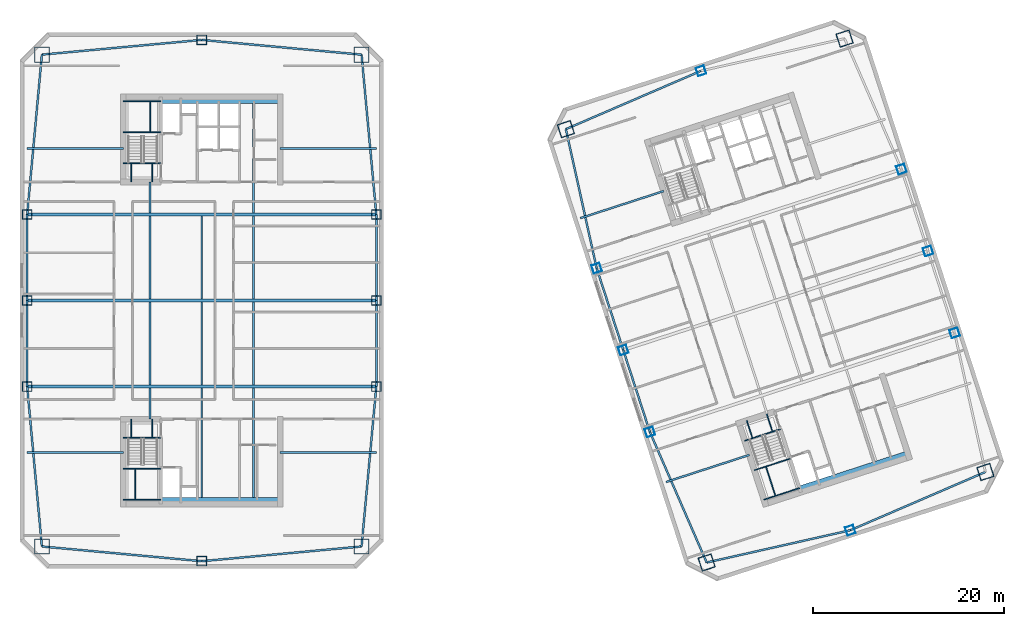
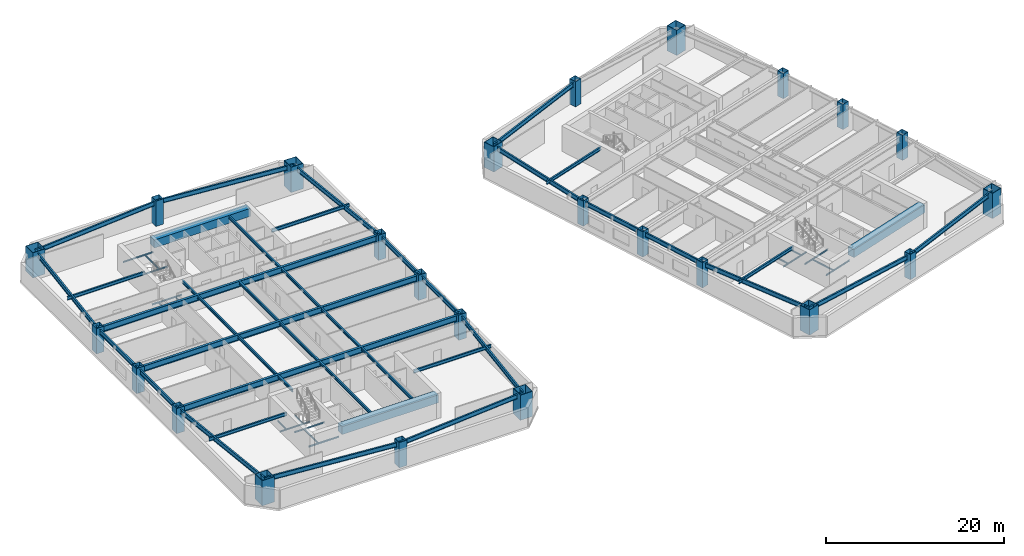
# One storey, part 1 of 11: 60 beams, 24 columns.
"""IFC4 building model written with IfcOpenShell, lengths in metres."""

from ifc_helpers import new_model, si_unit, direction, frame, origin, origin_2d, place, context, subcontext, project, spatial, rectangle, hollow_rectangle, i_section, extrude, material, material_profile, profile_set, type_object, element, save


model = new_model("IFC4")

# Units and contexts
model_context = context("Model", 3, precision=1e-05, world=origin(), true_north=direction((0.0, 1.0)))
body_context = subcontext(model_context, "Body", "Model", "MODEL_VIEW")
ifc_project = project(units=[si_unit("LENGTHUNIT", "METRE"), si_unit("AREAUNIT", "SQUARE_METRE"), si_unit("VOLUMEUNIT", "CUBIC_METRE"), si_unit("PLANEANGLEUNIT", "RADIAN"), si_unit("MASSUNIT", "GRAM", prefix="KILO")], contexts=[model_context])

# Site, building, storey
site_placement = place(None, origin())
site = spatial("IfcSite", under=ifc_project, at=site_placement, CompositionType="ELEMENT")
building_placement = place(site_placement, origin())
building = spatial("IfcBuilding", under=site, at=building_placement, Name="Qiaolan Cultural Towers", CompositionType="ELEMENT")
storey_placement = place(building_placement, frame((0.0, 0.0, 96.60009765625)))
storey = spatial("IfcBuildingStorey", under=building, at=storey_placement, Name="L24", CompositionType="ELEMENT", Elevation=96.60009765625)

# Columns
ifc_material_1 = material(Name="Steel Q355B", Category="steel")
ifc_material_profile_1 = material_profile(ifc_material_1, hollow_rectangle(XDim=1.0, YDim=1.0, WallThickness=0.035888671875, at=origin_2d()), Name="BOX1000x1000x36")
ifc_profile_set_1 = profile_set([ifc_material_profile_1], Name="Steel Q355B")
column_type_1 = type_object("IfcColumnType", Name="COL-BOX1000x1000x36", PredefinedType="COLUMN", material=ifc_profile_set_1)
for number, where, z_axis, x_axis, name in (
    (1, (11.75, 25.0, 0.0), (0.0, 0.0, 1.0), (1.0, 0.0, 0.0), "L24 T1 Perimeter Column PC-W1"),
    (2, (11.75, 34.0, 0.0), (0.0, 0.0, 1.0), (1.0, 0.0, 0.0), "L24 T1 Perimeter Column PC-W2"),
    (3, (11.75, 43.0, 0.0), (0.0, 0.0, 1.0), (1.0, 0.0, 0.0), "L24 T1 Perimeter Column PC-W3"),
    (4, (48.25, 25.0, 0.0), (0.0, 0.0, 1.0), (1.0, 0.0, 0.0), "L24 T1 Perimeter Column PC-E1"),
    (5, (48.25, 34.0, 0.0), (0.0, 0.0, 1.0), (1.0, 0.0, 0.0), "L24 T1 Perimeter Column PC-E2"),
    (6, (48.25, 43.0, 0.0), (0.0, 0.0, 1.0), (1.0, 0.0, 0.0), "L24 T1 Perimeter Column PC-E3"),
    (7, (30.0, 6.75, 0.0), (0.0, 0.0, 1.0), (1.0, 0.0, 0.0), "L24 T1 Perimeter Column PC-S0"),
    (8, (30.0, 61.25, 0.0), (0.0, 0.0, 1.0), (1.0, 0.0, 0.0), "L24 T1 Perimeter Column PC-N0"),
):
    element("IfcColumn", number, at=place(storey_placement, frame(where, z_axis=z_axis, x_axis=x_axis)), inside=storey, type_object=column_type_1, Name=name, PredefinedType="COLUMN", context=body_context, shape_type="SweptSolid", body=[
        extrude(hollow_rectangle(XDim=1.0, YDim=1.0, WallThickness=0.035888671875, at=origin_2d()), origin(), (0.0, 0.0, 1.0), 3.450927734375),
    ])
ifc_material_2 = material(Name="Steel Q420GJB", Category="steel")
ifc_material_profile_2 = material_profile(ifc_material_2, hollow_rectangle(XDim=1.449951171875, YDim=1.449951171875, WallThickness=0.050048828125, at=origin_2d()), Name="BOX1450x1450x50")
ifc_profile_set_2 = profile_set([ifc_material_profile_2], Name="Steel Q420GJB")
column_type_2 = type_object("IfcColumnType", Name="COL-BOX1450x1450x50", PredefinedType="COLUMN", material=ifc_profile_set_2)
for number, where, z_axis, x_axis, name in (
    (9, (82.79052734375, 6.611572265625, 0.0), (0.0, 0.0, 1.0), (0.951056516295, 0.309016994375, 0.0), "L24 T2 Perimeter Column MC-SW"),
    (10, (111.930908203125, 16.080078125, 0.0), (0.0, 0.0, 1.0), (0.951056516295, 0.309016994375, 0.0), "L24 T2 Perimeter Column MC-SE"),
    (11, (97.20947265625, 61.388427734375, 0.0), (0.0, 0.0, 1.0), (0.951056516295, 0.309016994375, 0.0), "L24 T2 Perimeter Column MC-NE"),
    (12, (68.069091796875, 51.919921875, 0.0), (0.0, 0.0, 1.0), (0.951056516295, 0.309016994375, 0.0), "L24 T2 Perimeter Column MC-NW"),
):
    element("IfcColumn", number, at=place(storey_placement, frame(where, z_axis=z_axis, x_axis=x_axis)), inside=storey, type_object=column_type_2, Name=name, PredefinedType="COLUMN", context=body_context, shape_type="SweptSolid", body=[
        extrude(hollow_rectangle(XDim=1.449951171875, YDim=1.449951171875, WallThickness=0.050048828125, at=origin_2d()), origin(), (0.0, 0.0, 1.0), 3.450927734375),
    ])
ifc_material_3 = material(Name="Steel Q420GJB", Category="steel")
ifc_material_profile_3 = material_profile(ifc_material_3, hollow_rectangle(XDim=1.60009765625, YDim=1.60009765625, WallThickness=0.054931640625, at=origin_2d()), Name="BOX1600x1600x55")
ifc_profile_set_3 = profile_set([ifc_material_profile_3], Name="Steel Q420GJB")
column_type_3 = type_object("IfcColumnType", Name="COL-BOX1600x1600x55", PredefinedType="COLUMN", material=ifc_profile_set_3)
for number, where, z_axis, x_axis, name in (
    (13, (13.2900390625, 8.2900390625, 0.0), (0.0, 0.0, 1.0), (1.0, 0.0, 0.0), "L24 T1 Perimeter Column MC-SW"),
    (14, (46.7099609375, 8.2900390625, 0.0), (0.0, 0.0, 1.0), (1.0, 0.0, 0.0), "L24 T1 Perimeter Column MC-SE"),
    (15, (46.7099609375, 59.7099609375, 0.0), (0.0, 0.0, 1.0), (1.0, 0.0, 0.0), "L24 T1 Perimeter Column MC-NE"),
    (16, (13.2900390625, 59.7099609375, 0.0), (0.0, 0.0, 1.0), (1.0, 0.0, 0.0), "L24 T1 Perimeter Column MC-NW"),
):
    element("IfcColumn", number, at=place(storey_placement, frame(where, z_axis=z_axis, x_axis=x_axis)), inside=storey, type_object=column_type_3, Name=name, PredefinedType="COLUMN", context=body_context, shape_type="SweptSolid", body=[
        extrude(hollow_rectangle(XDim=1.60009765625, YDim=1.60009765625, WallThickness=0.054931640625, at=origin_2d()), origin(), (0.0, 0.0, 1.0), 3.450927734375),
    ])
ifc_material_4 = material(Name="Steel Q355B", Category="steel")
ifc_material_profile_4 = material_profile(ifc_material_4, hollow_rectangle(XDim=0.89990234375, YDim=0.89990234375, WallThickness=0.031982421875, at=origin_2d()), Name="BOX900x900x32")
ifc_profile_set_4 = profile_set([ifc_material_profile_4], Name="Steel Q355B")
column_type_4 = type_object("IfcColumnType", Name="COL-BOX900x900x32", PredefinedType="COLUMN", material=ifc_profile_set_4)
for number, where, z_axis, x_axis, name in (
    (17, (76.85107421875, 20.264404296875, 0.0), (0.0, 0.0, 1.0), (0.951056516295, 0.309016994375, 0.0), "L24 T2 Perimeter Column PC-W1"),
    (18, (74.06982421875, 28.823974609375, 0.0), (0.0, 0.0, 1.0), (0.951056516295, 0.309016994375, 0.0), "L24 T2 Perimeter Column PC-W2"),
    (19, (71.28857421875, 37.383544921875, 0.0), (0.0, 0.0, 1.0), (0.951056516295, 0.309016994375, 0.0), "L24 T2 Perimeter Column PC-W3"),
    (20, (108.71142578125, 30.616455078125, 0.0), (0.0, 0.0, 1.0), (0.951056516295, 0.309016994375, 0.0), "L24 T2 Perimeter Column PC-E1"),
    (21, (105.93017578125, 39.176025390625, 0.0), (0.0, 0.0, 1.0), (0.951056516295, 0.309016994375, 0.0), "L24 T2 Perimeter Column PC-E2"),
    (22, (103.14892578125, 47.735595703125, 0.0), (0.0, 0.0, 1.0), (0.951056516295, 0.309016994375, 0.0), "L24 T2 Perimeter Column PC-E3"),
    (23, (97.802734375, 9.98583984375, 0.0), (0.0, 0.0, 1.0), (0.951056516295, 0.309016994375, 0.0), "L24 T2 Perimeter Column PC-S0"),
    (24, (82.197265625, 58.01416015625, 0.0), (0.0, 0.0, 1.0), (0.951056516295, 0.309016994375, 0.0), "L24 T2 Perimeter Column PC-N0"),
):
    element("IfcColumn", number, at=place(storey_placement, frame(where, z_axis=z_axis, x_axis=x_axis)), inside=storey, type_object=column_type_4, Name=name, PredefinedType="COLUMN", context=body_context, shape_type="SweptSolid", body=[
        extrude(hollow_rectangle(XDim=0.89990234375, YDim=0.89990234375, WallThickness=0.031982421875, at=origin_2d()), origin(), (0.0, 0.0, 1.0), 3.450927734375),
    ])

# Beams
ifc_material_5 = material(Name="Steel Q355B", Category="steel")
ifc_material_profile_5 = material_profile(ifc_material_5, i_section(OverallWidth=0.300048828125, OverallDepth=0.800048828125, WebThickness=0.013916015625, FlangeThickness=0.02587890625, at=origin_2d()), Name="HN800x300x14x26")
ifc_profile_set_5 = profile_set([ifc_material_profile_5], Name="Steel Q355B")
beam_type_1 = type_object("IfcBeamType", Name="BM-HN800x300x14x26", PredefinedType="BEAM", material=ifc_profile_set_5)
for number, where, z_axis, x_axis, name in (
    (25, (11.75, 25.0, 2.789794921875), (1.0, 0.0, 0.0), (0.0, 1.0, 0.0), "L24 T1 Primary Transverse Girder V1"),
    (26, (11.75, 34.0, 2.789794921875), (1.0, 0.0, 0.0), (0.0, 1.0, 0.0), "L24 T1 Primary Transverse Girder V2"),
    (27, (11.75, 43.0, 2.789794921875), (1.0, 0.0, 0.0), (0.0, 1.0, 0.0), "L24 T1 Primary Transverse Girder V3"),
):
    element("IfcBeam", number, at=place(storey_placement, frame(where, z_axis=z_axis, x_axis=x_axis)), inside=storey, type_object=beam_type_1, Name=name, PredefinedType="BEAM", context=body_context, shape_type="SweptSolid", body=[
        extrude(i_section(OverallWidth=0.300048828125, OverallDepth=0.800048828125, WebThickness=0.013916015625, FlangeThickness=0.02587890625, at=origin_2d()), origin(), (0.0, 0.0, 1.0), 36.5),
    ])
ifc_material_6 = material(Name="Steel Q355B", Category="steel")
ifc_material_profile_6 = material_profile(ifc_material_6, i_section(OverallWidth=0.199951171875, OverallDepth=0.39990234375, WebThickness=0.008056640625, FlangeThickness=0.012939453125, at=origin_2d()), Name="HN400x200x8x13")
ifc_profile_set_6 = profile_set([ifc_material_profile_6], Name="Steel Q355B")
beam_type_2 = type_object("IfcBeamType", Name="BM-JST-HN400x200x8x13", PredefinedType="JOIST", material=ifc_profile_set_6)
beam_1_placement = place(storey_placement, frame((24.60009765625, 21.60009765625, 2.989990234375), z_axis=(0.0, 1.0, 0.0), x_axis=(-1.0, 0.0, 0.0)))
element("IfcBeam", 28, at=beam_1_placement, inside=storey, type_object=beam_type_2, Name="L24 T1 Secondary Floor Joist U1-1", PredefinedType="JOIST", context=body_context, shape_type="SweptSolid", body=[
    extrude(i_section(OverallWidth=0.199951171875, OverallDepth=0.39990234375, WebThickness=0.008056640625, FlangeThickness=0.012939453125, at=origin_2d()), origin(), (0.0, 0.0, 1.0), 3.25),
])
for number, where, z_axis, x_axis, name in (
    (29, (24.60009765625, 25.14990234375, 2.989990234375), (0.0, 1.0, 0.0), (-1.0, 0.0, 0.0), "L24 T1 Secondary Floor Joist U1-2"),
    (30, (24.60009765625, 34.14990234375, 2.989990234375), (0.0, 1.0, 0.0), (-1.0, 0.0, 0.0), "L24 T1 Secondary Floor Joist U1-3"),
):
    element("IfcBeam", number, at=place(storey_placement, frame(where, z_axis=z_axis, x_axis=x_axis)), inside=storey, type_object=beam_type_2, Name=name, PredefinedType="JOIST", context=body_context, shape_type="SweptSolid", body=[
        extrude(i_section(OverallWidth=0.199951171875, OverallDepth=0.39990234375, WebThickness=0.008056640625, FlangeThickness=0.012939453125, at=origin_2d()), origin(), (0.0, 0.0, 1.0), 8.7001953125),
    ])
beam_2_placement = place(storey_placement, frame((24.60009765625, 43.14990234375, 2.989990234375), z_axis=(0.0, 1.0, 0.0), x_axis=(-1.0, 0.0, 0.0)))
element("IfcBeam", 31, at=beam_2_placement, inside=storey, type_object=beam_type_2, Name="L24 T1 Secondary Floor Joist U1-4", PredefinedType="JOIST", context=body_context, shape_type="SweptSolid", body=[
    extrude(i_section(OverallWidth=0.199951171875, OverallDepth=0.39990234375, WebThickness=0.008056640625, FlangeThickness=0.012939453125, at=origin_2d()), origin(), (0.0, 0.0, 1.0), 3.25),
])
beam_3_placement = place(storey_placement, frame((30.0, 13.39990234375, 2.989990234375), z_axis=(0.0, 1.0, 0.0), x_axis=(-1.0, 0.0, 0.0)))
element("IfcBeam", 32, at=beam_3_placement, inside=storey, type_object=beam_type_2, Name="L24 T1 Secondary Floor Joist U2-1", PredefinedType="JOIST", context=body_context, shape_type="SweptSolid", body=[
    extrude(i_section(OverallWidth=0.199951171875, OverallDepth=0.39990234375, WebThickness=0.008056640625, FlangeThickness=0.012939453125, at=origin_2d()), origin(), (0.0, 0.0, 1.0), 11.4501953125),
])
for number, where, z_axis, x_axis, name in (
    (33, (30.0, 25.14990234375, 2.989990234375), (0.0, 1.0, 0.0), (-1.0, 0.0, 0.0), "L24 T1 Secondary Floor Joist U2-2"),
    (34, (30.0, 34.14990234375, 2.989990234375), (0.0, 1.0, 0.0), (-1.0, 0.0, 0.0), "L24 T1 Secondary Floor Joist U2-3"),
):
    element("IfcBeam", number, at=place(storey_placement, frame(where, z_axis=z_axis, x_axis=x_axis)), inside=storey, type_object=beam_type_2, Name=name, PredefinedType="JOIST", context=body_context, shape_type="SweptSolid", body=[
        extrude(i_section(OverallWidth=0.199951171875, OverallDepth=0.39990234375, WebThickness=0.008056640625, FlangeThickness=0.012939453125, at=origin_2d()), origin(), (0.0, 0.0, 1.0), 8.7001953125),
    ])
beam_4_placement = place(storey_placement, frame((35.39990234375, 13.39990234375, 2.989990234375), z_axis=(0.0, 1.0, 0.0), x_axis=(-1.0, 0.0, 0.0)))
element("IfcBeam", 35, at=beam_4_placement, inside=storey, type_object=beam_type_2, Name="L24 T1 Secondary Floor Joist U3-1", PredefinedType="JOIST", context=body_context, shape_type="SweptSolid", body=[
    extrude(i_section(OverallWidth=0.199951171875, OverallDepth=0.39990234375, WebThickness=0.008056640625, FlangeThickness=0.012939453125, at=origin_2d()), origin(), (0.0, 0.0, 1.0), 11.4501953125),
])
for number, where, z_axis, x_axis, name in (
    (36, (35.39990234375, 25.14990234375, 2.989990234375), (0.0, 1.0, 0.0), (-1.0, 0.0, 0.0), "L24 T1 Secondary Floor Joist U3-2"),
    (37, (35.39990234375, 34.14990234375, 2.989990234375), (0.0, 1.0, 0.0), (-1.0, 0.0, 0.0), "L24 T1 Secondary Floor Joist U3-3"),
):
    element("IfcBeam", number, at=place(storey_placement, frame(where, z_axis=z_axis, x_axis=x_axis)), inside=storey, type_object=beam_type_2, Name=name, PredefinedType="JOIST", context=body_context, shape_type="SweptSolid", body=[
        extrude(i_section(OverallWidth=0.199951171875, OverallDepth=0.39990234375, WebThickness=0.008056640625, FlangeThickness=0.012939453125, at=origin_2d()), origin(), (0.0, 0.0, 1.0), 8.7001953125),
    ])
beam_5_placement = place(storey_placement, frame((35.39990234375, 43.14990234375, 2.989990234375), z_axis=(0.0, 1.0, 0.0), x_axis=(-1.0, 0.0, 0.0)))
element("IfcBeam", 38, at=beam_5_placement, inside=storey, type_object=beam_type_2, Name="L24 T1 Secondary Floor Joist U3-4", PredefinedType="JOIST", context=body_context, shape_type="SweptSolid", body=[
    extrude(i_section(OverallWidth=0.199951171875, OverallDepth=0.39990234375, WebThickness=0.008056640625, FlangeThickness=0.012939453125, at=origin_2d()), origin(), (0.0, 0.0, 1.0), 11.4501953125),
])
ifc_material_7 = material(Name="Steel Q355B", Category="steel")
ifc_material_profile_7 = material_profile(ifc_material_7, i_section(OverallWidth=0.199951171875, OverallDepth=0.449951171875, WebThickness=0.009033203125, FlangeThickness=0.013916015625, at=origin_2d()), Name="HN450x200x9x14")
ifc_profile_set_7 = profile_set([ifc_material_profile_7], Name="Steel Q355B")
beam_type_3 = type_object("IfcBeamType", Name="BM-LNT-HN450x200x9x14", PredefinedType="LINTEL", material=ifc_profile_set_7)
for number, where, z_axis, x_axis, name in (
    (39, (21.800048828125, 18.10009765625, 2.96484375), (-1.0, 0.0, 0.0), (0.0, -1.0, 0.0), "L24 T1 Core Flank Tie Lintel WS"),
    (40, (21.800048828125, 49.89990234375, 2.96484375), (-1.0, 0.0, 0.0), (0.0, -1.0, 0.0), "L24 T1 Core Flank Tie Lintel WN"),
    (41, (38.199951171875, 18.10009765625, 2.96484375), (1.0, 0.0, 0.0), (0.0, 1.0, 0.0), "L24 T1 Core Flank Tie Lintel ES"),
    (42, (38.199951171875, 49.89990234375, 2.96484375), (1.0, 0.0, 0.0), (0.0, 1.0, 0.0), "L24 T1 Core Flank Tie Lintel EN"),
):
    element("IfcBeam", number, at=place(storey_placement, frame(where, z_axis=z_axis, x_axis=x_axis)), inside=storey, type_object=beam_type_3, Name=name, PredefinedType="LINTEL", context=body_context, shape_type="SweptSolid", body=[
        extrude(i_section(OverallWidth=0.199951171875, OverallDepth=0.449951171875, WebThickness=0.009033203125, FlangeThickness=0.013916015625, at=origin_2d()), origin(), (0.0, 0.0, 1.0), 10.050048828125),
    ])
for number, where, z_axis, x_axis, name in (
    (43, (87.252685546875, 17.861083984375, 2.96484375), (-0.951059948176, -0.309006431933, 0.0), (0.309006431933, -0.951059948176, 0.0), "L24 T2 Core Flank Tie Lintel WS"),
    (44, (78.291259765625, 45.44189453125, 2.96484375), (-0.951052106475, -0.309030566076, 0.0), (0.309030566076, -0.951052106475, 0.0), "L24 T2 Core Flank Tie Lintel WN"),
):
    element("IfcBeam", number, at=place(storey_placement, frame(where, z_axis=z_axis, x_axis=x_axis)), inside=storey, type_object=beam_type_3, Name=name, PredefinedType="LINTEL", context=body_context, shape_type="SweptSolid", body=[
        extrude(i_section(OverallWidth=0.199951171875, OverallDepth=0.449951171875, WebThickness=0.009033203125, FlangeThickness=0.013916015625, at=origin_2d()), origin(), (0.0, 0.0, 1.0), 9.14990234375),
    ])
ifc_material_8 = material(Name="Concrete C50", Category="concrete")
ifc_material_profile_8 = material_profile(ifc_material_8, rectangle(XDim=0.89990234375, YDim=1.10009765625, at=origin_2d()), Name="RC900x1100")
ifc_profile_set_8 = profile_set([ifc_material_profile_8], Name="Concrete C50")
beam_type_4 = type_object("IfcBeamType", Name="BM-RC900x1100", PredefinedType="BEAM", material=ifc_profile_set_8)
for number, where, z_axis, x_axis, name in (
    (45, (25.719970703125, 12.949951171875, 2.639892578125), (1.0, 0.0, 0.0), (0.0, 1.0, 0.0), "L24 T1 Core Header Girder S"),
    (46, (25.719970703125, 55.050048828125, 2.639892578125), (1.0, 0.0, 0.0), (0.0, 1.0, 0.0), "L24 T1 Core Header Girder N"),
):
    element("IfcBeam", number, at=place(storey_placement, frame(where, z_axis=z_axis, x_axis=x_axis)), inside=storey, type_object=beam_type_4, Name=name, PredefinedType="BEAM", context=body_context, shape_type="SweptSolid", body=[
        extrude(rectangle(XDim=0.89990234375, YDim=1.10009765625, at=origin_2d()), origin(), (0.0, 0.0, 1.0), 12.47998046875),
    ])
beam_6_placement = place(storey_placement, frame((92.572265625, 14.174560546875, 2.639892578125), z_axis=(0.951056266386, 0.309017763514, 0.0), x_axis=(-0.309017763514, 0.951056266386, 0.0)))
element("IfcBeam", 47, at=beam_6_placement, inside=storey, type_object=beam_type_4, Name="L24 T2 Core Header Girder S", PredefinedType="BEAM", context=body_context, shape_type="SweptSolid", body=[
    extrude(rectangle(XDim=0.89990234375, YDim=1.10009765625, at=origin_2d()), origin(), (0.0, 0.0, 1.0), 11.880126953125),
])
ifc_material_9 = material(Name="Steel Q355B", Category="steel")
ifc_material_profile_9 = material_profile(ifc_material_9, i_section(OverallWidth=0.199951171875, OverallDepth=0.60009765625, WebThickness=0.010986328125, FlangeThickness=0.01708984375, at=origin_2d()), Name="HN600x200x11x17")
ifc_profile_set_9 = profile_set([ifc_material_profile_9], Name="Steel Q355B")
beam_type_5 = type_object("IfcBeamType", Name="BM-SPD-HN600x200x11x17", PredefinedType="SPANDREL", material=ifc_profile_set_9)
for number, where, z_axis, x_axis, name in (
    (48, (13.2900390625, 8.2900390625, 2.889892578125), (0.995779862064, -0.09177399582, 0.0), (0.09177399582, 0.995779862064, 0.0), "L24 T1 Perimeter Spandrel Beam 1"),
    (49, (30.0, 6.75, 2.889892578125), (0.995779862064, 0.09177399582, 0.0), (-0.09177399582, 0.995779862064, 0.0), "L24 T1 Perimeter Spandrel Beam 2"),
    (50, (46.7099609375, 8.2900390625, 2.889892578125), (0.09177399582, 0.995779862064, 0.0), (-0.995779862064, 0.09177399582, 0.0), "L24 T1 Perimeter Spandrel Beam 3"),
):
    element("IfcBeam", number, at=place(storey_placement, frame(where, z_axis=z_axis, x_axis=x_axis)), inside=storey, type_object=beam_type_5, Name=name, PredefinedType="SPANDREL", context=body_context, shape_type="SweptSolid", body=[
        extrude(i_section(OverallWidth=0.199951171875, OverallDepth=0.60009765625, WebThickness=0.010986328125, FlangeThickness=0.01708984375, at=origin_2d()), origin(), (0.0, 0.0, 1.0), 16.78076171875),
    ])
for number, where, z_axis, x_axis, name in (
    (51, (48.25, 25.0, 2.889892578125), (0.0, 1.0, 0.0), (-1.0, 0.0, 0.0), "L24 T1 Perimeter Spandrel Beam 4"),
    (52, (48.25, 34.0, 2.889892578125), (0.0, 1.0, 0.0), (-1.0, 0.0, 0.0), "L24 T1 Perimeter Spandrel Beam 5"),
):
    element("IfcBeam", number, at=place(storey_placement, frame(where, z_axis=z_axis, x_axis=x_axis)), inside=storey, type_object=beam_type_5, Name=name, PredefinedType="SPANDREL", context=body_context, shape_type="SweptSolid", body=[
        extrude(i_section(OverallWidth=0.199951171875, OverallDepth=0.60009765625, WebThickness=0.010986328125, FlangeThickness=0.01708984375, at=origin_2d()), origin(), (0.0, 0.0, 1.0), 9.0),
    ])
for number, where, z_axis, x_axis, name in (
    (53, (48.25, 43.0, 2.889892578125), (-0.09177399582, 0.995779862064, 0.0), (-0.995779862064, -0.09177399582, 0.0), "L24 T1 Perimeter Spandrel Beam 6"),
    (54, (46.7099609375, 59.7099609375, 2.889892578125), (-0.995779862064, 0.09177399582, 0.0), (-0.09177399582, -0.995779862064, 0.0), "L24 T1 Perimeter Spandrel Beam 7"),
    (55, (30.0, 61.25, 2.889892578125), (-0.995779862064, -0.09177399582, 0.0), (0.09177399582, -0.995779862064, 0.0), "L24 T1 Perimeter Spandrel Beam 8"),
    (56, (13.2900390625, 59.7099609375, 2.889892578125), (-0.09177399582, -0.995779862064, 0.0), (0.995779862064, -0.09177399582, 0.0), "L24 T1 Perimeter Spandrel Beam 9"),
):
    element("IfcBeam", number, at=place(storey_placement, frame(where, z_axis=z_axis, x_axis=x_axis)), inside=storey, type_object=beam_type_5, Name=name, PredefinedType="SPANDREL", context=body_context, shape_type="SweptSolid", body=[
        extrude(i_section(OverallWidth=0.199951171875, OverallDepth=0.60009765625, WebThickness=0.010986328125, FlangeThickness=0.01708984375, at=origin_2d()), origin(), (0.0, 0.0, 1.0), 16.78076171875),
    ])
for number, where, z_axis, x_axis, name in (
    (57, (11.75, 43.0, 2.889892578125), (0.0, -1.0, 0.0), (1.0, 0.0, 0.0), "L24 T1 Perimeter Spandrel Beam 10"),
    (58, (11.75, 34.0, 2.889892578125), (0.0, -1.0, 0.0), (1.0, 0.0, 0.0), "L24 T1 Perimeter Spandrel Beam 11"),
):
    element("IfcBeam", number, at=place(storey_placement, frame(where, z_axis=z_axis, x_axis=x_axis)), inside=storey, type_object=beam_type_5, Name=name, PredefinedType="SPANDREL", context=body_context, shape_type="SweptSolid", body=[
        extrude(i_section(OverallWidth=0.199951171875, OverallDepth=0.60009765625, WebThickness=0.010986328125, FlangeThickness=0.01708984375, at=origin_2d()), origin(), (0.0, 0.0, 1.0), 9.0),
    ])
beam_7_placement = place(storey_placement, frame((11.75, 25.0, 2.889892578125), z_axis=(0.09177399582, -0.995779862064, 0.0), x_axis=(0.995779862064, 0.09177399582, 0.0)))
element("IfcBeam", 59, at=beam_7_placement, inside=storey, type_object=beam_type_5, Name="L24 T1 Perimeter Spandrel Beam 12", PredefinedType="SPANDREL", context=body_context, shape_type="SweptSolid", body=[
    extrude(i_section(OverallWidth=0.199951171875, OverallDepth=0.60009765625, WebThickness=0.010986328125, FlangeThickness=0.01708984375, at=origin_2d()), origin(), (0.0, 0.0, 1.0), 16.78076171875),
])
beam_8_placement = place(storey_placement, frame((82.79052734375, 6.611572265625, 2.889892578125), z_axis=(0.975658154374, 0.219296980836, 0.0), x_axis=(-0.219296980836, 0.975658154374, 0.0)))
element("IfcBeam", 60, at=beam_8_placement, inside=storey, type_object=beam_type_5, Name="L24 T2 Perimeter Spandrel Beam 1", PredefinedType="SPANDREL", context=body_context, shape_type="SweptSolid", body=[
    extrude(i_section(OverallWidth=0.199951171875, OverallDepth=0.60009765625, WebThickness=0.010986328125, FlangeThickness=0.01708984375, at=origin_2d()), origin(), (0.0, 0.0, 1.0), 15.38671875),
])
for number, where, z_axis, x_axis, name in (
    (61, (97.802734375, 9.98583984375, 2.889892578125), (0.918217549337, 0.396076422032, 0.0), (-0.396076422032, 0.918217549337, 0.0), "L24 T2 Perimeter Spandrel Beam 2"),
    (62, (82.197265625, 58.01416015625, 2.889892578125), (-0.918217549337, -0.396076422032, 0.0), (0.396076422032, -0.918217549337, 0.0), "L24 T2 Perimeter Spandrel Beam 8"),
):
    element("IfcBeam", number, at=place(storey_placement, frame(where, z_axis=z_axis, x_axis=x_axis)), inside=storey, type_object=beam_type_5, Name=name, PredefinedType="SPANDREL", context=body_context, shape_type="SweptSolid", body=[
        extrude(i_section(OverallWidth=0.199951171875, OverallDepth=0.60009765625, WebThickness=0.010986328125, FlangeThickness=0.01708984375, at=origin_2d()), origin(), (0.0, 0.0, 1.0), 15.386474609375),
    ])
beam_9_placement = place(storey_placement, frame((68.069091796875, 51.919921875, 2.889892578125), z_axis=(0.216237644833, -0.976340760676, 0.0), x_axis=(0.976340760676, 0.216237644833, 0.0)))
element("IfcBeam", 63, at=beam_9_placement, inside=storey, type_object=beam_type_5, Name="L24 T2 Perimeter Spandrel Beam 9", PredefinedType="SPANDREL", context=body_context, shape_type="SweptSolid", body=[
    extrude(i_section(OverallWidth=0.199951171875, OverallDepth=0.60009765625, WebThickness=0.010986328125, FlangeThickness=0.01708984375, at=origin_2d()), origin(), (0.0, 0.0, 1.0), 14.888671875),
])
for number, where, z_axis, x_axis, name in (
    (64, (71.28857421875, 37.383544921875, 2.889892578125), (0.309024734286, -0.951054001411, 0.0), (0.951054001411, 0.309024734286, 0.0), "L24 T2 Perimeter Spandrel Beam 10"),
    (65, (74.06982421875, 28.823974609375, 2.889892578125), (0.309024734286, -0.951054001411, 0.0), (0.951054001411, 0.309024734286, 0.0), "L24 T2 Perimeter Spandrel Beam 11"),
):
    element("IfcBeam", number, at=place(storey_placement, frame(where, z_axis=z_axis, x_axis=x_axis)), inside=storey, type_object=beam_type_5, Name=name, PredefinedType="SPANDREL", context=body_context, shape_type="SweptSolid", body=[
        extrude(i_section(OverallWidth=0.199951171875, OverallDepth=0.60009765625, WebThickness=0.010986328125, FlangeThickness=0.01708984375, at=origin_2d()), origin(), (0.0, 0.0, 1.0), 9.0),
    ])
beam_10_placement = place(storey_placement, frame((76.85107421875, 20.264404296875, 2.889892578125), z_axis=(0.398920370799, -0.916985571185, 0.0), x_axis=(0.916985571185, 0.398920370799, 0.0)))
element("IfcBeam", 66, at=beam_10_placement, inside=storey, type_object=beam_type_5, Name="L24 T2 Perimeter Spandrel Beam 12", PredefinedType="SPANDREL", context=body_context, shape_type="SweptSolid", body=[
    extrude(i_section(OverallWidth=0.199951171875, OverallDepth=0.60009765625, WebThickness=0.010986328125, FlangeThickness=0.01708984375, at=origin_2d()), origin(), (0.0, 0.0, 1.0), 14.888916015625),
])
ifc_material_10 = material(Name="Steel Q355B", Category="steel")
ifc_material_profile_10 = material_profile(ifc_material_10, i_section(OverallWidth=0.10009765625, OverallDepth=0.199951171875, WebThickness=0.005615234375, FlangeThickness=0.008056640625, at=origin_2d()), Name="HN200x100x5.5x8")
ifc_profile_set_10 = profile_set([ifc_material_profile_10], Name="Steel Q355B")
beam_type_6 = type_object("IfcBeamType", Name="BM-STTRIM-200", PredefinedType="BEAM", material=ifc_profile_set_10)
beam_11_placement = place(storey_placement, frame((21.800048828125, 19.659912109375, -0.460205078125), z_axis=(1.0, 0.0, 0.0), x_axis=(0.0, 1.0, 0.0)))
element("IfcBeam", 67, at=beam_11_placement, inside=storey, type_object=beam_type_6, Name="L24 ST-W1 Floor Landing Header Beam", PredefinedType="BEAM", context=body_context, shape_type="SweptSolid", body=[
    extrude(i_section(OverallWidth=0.10009765625, OverallDepth=0.199951171875, WebThickness=0.005615234375, FlangeThickness=0.008056640625, at=origin_2d()), origin(), (0.0, 0.0, 1.0), 3.919921875),
])
for number, where, z_axis, x_axis, name in (
    (68, (22.64990234375, 21.60009765625, -0.460205078125), (0.0, -1.0, 0.0), (1.0, 0.0, 0.0), "L24 ST-W1 Floor Landing Stringer 1"),
    (69, (24.85009765625, 21.60009765625, -0.460205078125), (0.0, -1.0, 0.0), (1.0, 0.0, 0.0), "L24 ST-W1 Floor Landing Stringer 2"),
):
    element("IfcBeam", number, at=place(storey_placement, frame(where, z_axis=z_axis, x_axis=x_axis)), inside=storey, type_object=beam_type_6, Name=name, PredefinedType="BEAM", context=body_context, shape_type="SweptSolid", body=[
        extrude(i_section(OverallWidth=0.10009765625, OverallDepth=0.199951171875, WebThickness=0.005615234375, FlangeThickness=0.008056640625, at=origin_2d()), origin(), (0.0, 0.0, 1.0), 1.940185546875),
    ])
for number, where, z_axis, x_axis, name in (
    (70, (21.800048828125, 16.411376953125, 1.4248046875), (1.0, 0.0, 0.0), (0.0, 1.0, 0.0), "L24 ST-W1 Stair Landing Support Beam 1-1"),
    (71, (21.800048828125, 13.179931640625, 1.4248046875), (1.0, 0.0, 0.0), (0.0, 1.0, 0.0), "L24 ST-W1 Stair Landing Support Beam 1-2"),
):
    element("IfcBeam", number, at=place(storey_placement, frame(where, z_axis=z_axis, x_axis=x_axis)), inside=storey, type_object=beam_type_6, Name=name, PredefinedType="BEAM", context=body_context, shape_type="SweptSolid", body=[
        extrude(i_section(OverallWidth=0.10009765625, OverallDepth=0.199951171875, WebThickness=0.005615234375, FlangeThickness=0.008056640625, at=origin_2d()), origin(), (0.0, 0.0, 1.0), 3.919921875),
    ])
beam_12_placement = place(storey_placement, frame((23.070068359375, 16.411376953125, 1.4248046875), z_axis=(0.0, -1.0, 0.0), x_axis=(1.0, 0.0, 0.0)))
element("IfcBeam", 72, at=beam_12_placement, inside=storey, type_object=beam_type_6, Name="L24 ST-W1 Stair Landing Trimmer 1", PredefinedType="BEAM", context=body_context, shape_type="SweptSolid", body=[
    extrude(i_section(OverallWidth=0.10009765625, OverallDepth=0.199951171875, WebThickness=0.005615234375, FlangeThickness=0.008056640625, at=origin_2d()), origin(), (0.0, 0.0, 1.0), 3.2314453125),
])
beam_13_placement = place(storey_placement, frame((21.800048828125, 48.340087890625, -0.460205078125), z_axis=(1.0, 0.0, 0.0), x_axis=(0.0, 1.0, 0.0)))
element("IfcBeam", 73, at=beam_13_placement, inside=storey, type_object=beam_type_6, Name="L24 ST-W2 Floor Landing Header Beam", PredefinedType="BEAM", context=body_context, shape_type="SweptSolid", body=[
    extrude(i_section(OverallWidth=0.10009765625, OverallDepth=0.199951171875, WebThickness=0.005615234375, FlangeThickness=0.008056640625, at=origin_2d()), origin(), (0.0, 0.0, 1.0), 3.919921875),
])
for number, where, z_axis, x_axis, name in (
    (74, (22.64990234375, 46.39990234375, -0.460205078125), (0.0, 1.0, 0.0), (-1.0, 0.0, 0.0), "L24 ST-W2 Floor Landing Stringer 1"),
    (75, (24.85009765625, 46.39990234375, -0.460205078125), (0.0, 1.0, 0.0), (-1.0, 0.0, 0.0), "L24 ST-W2 Floor Landing Stringer 2"),
):
    element("IfcBeam", number, at=place(storey_placement, frame(where, z_axis=z_axis, x_axis=x_axis)), inside=storey, type_object=beam_type_6, Name=name, PredefinedType="BEAM", context=body_context, shape_type="SweptSolid", body=[
        extrude(i_section(OverallWidth=0.10009765625, OverallDepth=0.199951171875, WebThickness=0.005615234375, FlangeThickness=0.008056640625, at=origin_2d()), origin(), (0.0, 0.0, 1.0), 1.940185546875),
    ])
for number, where, z_axis, x_axis, name in (
    (76, (21.800048828125, 51.588623046875, 1.4248046875), (1.0, 0.0, 0.0), (0.0, 1.0, 0.0), "L24 ST-W2 Stair Landing Support Beam 1-1"),
    (77, (21.800048828125, 54.820068359375, 1.4248046875), (1.0, 0.0, 0.0), (0.0, 1.0, 0.0), "L24 ST-W2 Stair Landing Support Beam 1-2"),
):
    element("IfcBeam", number, at=place(storey_placement, frame(where, z_axis=z_axis, x_axis=x_axis)), inside=storey, type_object=beam_type_6, Name=name, PredefinedType="BEAM", context=body_context, shape_type="SweptSolid", body=[
        extrude(i_section(OverallWidth=0.10009765625, OverallDepth=0.199951171875, WebThickness=0.005615234375, FlangeThickness=0.008056640625, at=origin_2d()), origin(), (0.0, 0.0, 1.0), 3.919921875),
    ])
beam_14_placement = place(storey_placement, frame((24.610107421875, 51.588623046875, 1.4248046875), z_axis=(0.0, 1.0, 0.0), x_axis=(-1.0, 0.0, 0.0)))
element("IfcBeam", 78, at=beam_14_placement, inside=storey, type_object=beam_type_6, Name="L24 ST-W2 Stair Landing Trimmer 1", PredefinedType="BEAM", context=body_context, shape_type="SweptSolid", body=[
    extrude(i_section(OverallWidth=0.10009765625, OverallDepth=0.199951171875, WebThickness=0.005615234375, FlangeThickness=0.008056640625, at=origin_2d()), origin(), (0.0, 0.0, 1.0), 3.2314453125),
])
beam_15_placement = place(storey_placement, frame((86.770751953125, 19.3447265625, -0.460205078125), z_axis=(0.951047798727, 0.309043823005, 0.0), x_axis=(-0.309043823005, 0.951047798727, 0.0)))
element("IfcBeam", 79, at=beam_15_placement, inside=storey, type_object=beam_type_6, Name="L24 ST-E1 Floor Landing Header Beam", PredefinedType="BEAM", context=body_context, shape_type="SweptSolid", body=[
    extrude(i_section(OverallWidth=0.10009765625, OverallDepth=0.199951171875, WebThickness=0.005615234375, FlangeThickness=0.008056640625, at=origin_2d()), origin(), (0.0, 0.0, 1.0), 3.919921875),
])
for number, where, z_axis, x_axis, name in (
    (80, (86.9794921875, 21.452392578125, -0.460205078125), (0.309083226701, -0.951034993558, 0.0), (0.951034993558, 0.309083226701, 0.0), "L24 ST-E1 Floor Landing Stringer 1"),
    (81, (89.07177734375, 22.13232421875, -0.460205078125), (0.309083226701, -0.951034993558, 0.0), (0.951034993558, 0.309083226701, 0.0), "L24 ST-E1 Floor Landing Stringer 2"),
):
    element("IfcBeam", number, at=place(storey_placement, frame(where, z_axis=z_axis, x_axis=x_axis)), inside=storey, type_object=beam_type_6, Name=name, PredefinedType="BEAM", context=body_context, shape_type="SweptSolid", body=[
        extrude(i_section(OverallWidth=0.10009765625, OverallDepth=0.199951171875, WebThickness=0.005615234375, FlangeThickness=0.008056640625, at=origin_2d()), origin(), (0.0, 0.0, 1.0), 1.93994140625),
    ])
for number, where, z_axis, x_axis, name in (
    (82, (87.774658203125, 16.255126953125, 1.4248046875), (0.951047798727, 0.309043823005, 0.0), (-0.309043823005, 0.951047798727, 0.0), "L24 ST-E1 Stair Landing Support Beam 1-1"),
    (83, (88.773193359375, 13.181884765625, 1.4248046875), (0.951047798727, 0.309043823005, 0.0), (-0.309043823005, 0.951047798727, 0.0), "L24 ST-E1 Stair Landing Support Beam 1-2"),
):
    element("IfcBeam", number, at=place(storey_placement, frame(where, z_axis=z_axis, x_axis=x_axis)), inside=storey, type_object=beam_type_6, Name=name, PredefinedType="BEAM", context=body_context, shape_type="SweptSolid", body=[
        extrude(i_section(OverallWidth=0.10009765625, OverallDepth=0.199951171875, WebThickness=0.005615234375, FlangeThickness=0.008056640625, at=origin_2d()), origin(), (0.0, 0.0, 1.0), 3.919921875),
    ])
beam_16_placement = place(storey_placement, frame((88.982421875, 16.6474609375, 1.4248046875), z_axis=(0.309033108495, -0.951051280349, 0.0), x_axis=(0.951051280349, 0.309033108495, 0.0)))
element("IfcBeam", 84, at=beam_16_placement, inside=storey, type_object=beam_type_6, Name="L24 ST-E1 Stair Landing Trimmer 1", PredefinedType="BEAM", context=body_context, shape_type="SweptSolid", body=[
    extrude(i_section(OverallWidth=0.10009765625, OverallDepth=0.199951171875, WebThickness=0.005615234375, FlangeThickness=0.008056640625, at=origin_2d()), origin(), (0.0, 0.0, 1.0), 3.231201171875),
])

save(model, "model.ifc")
